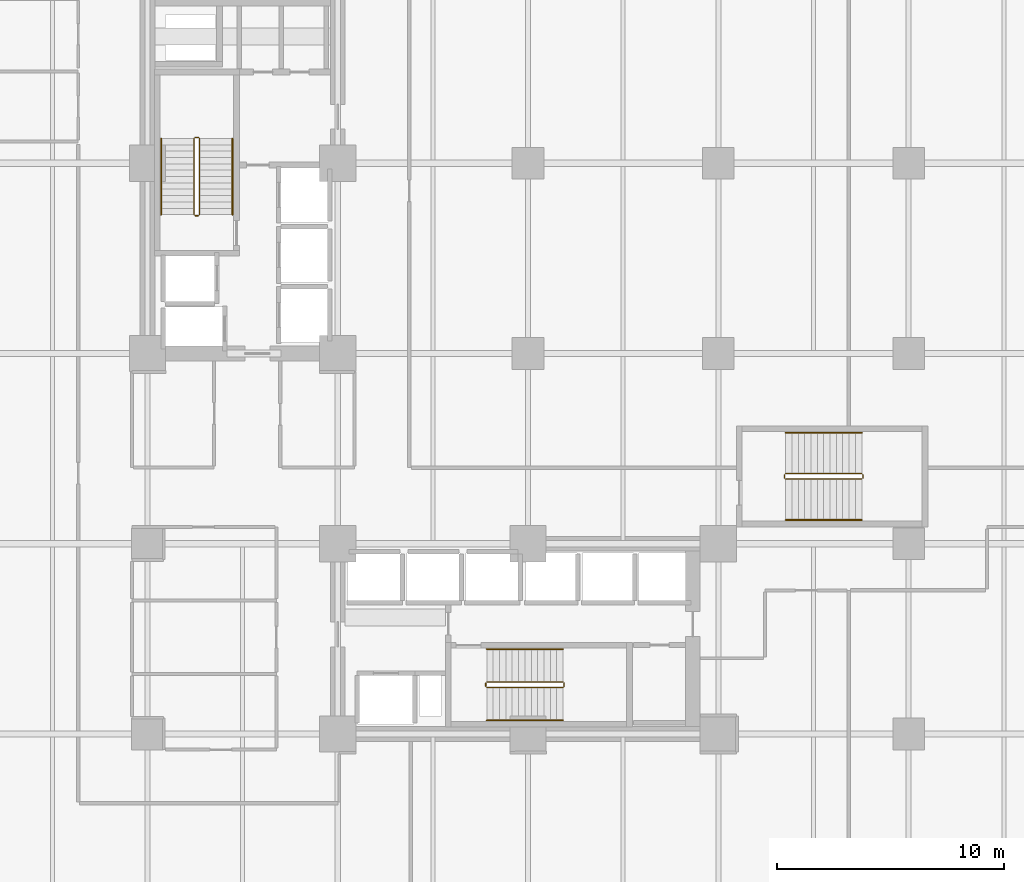
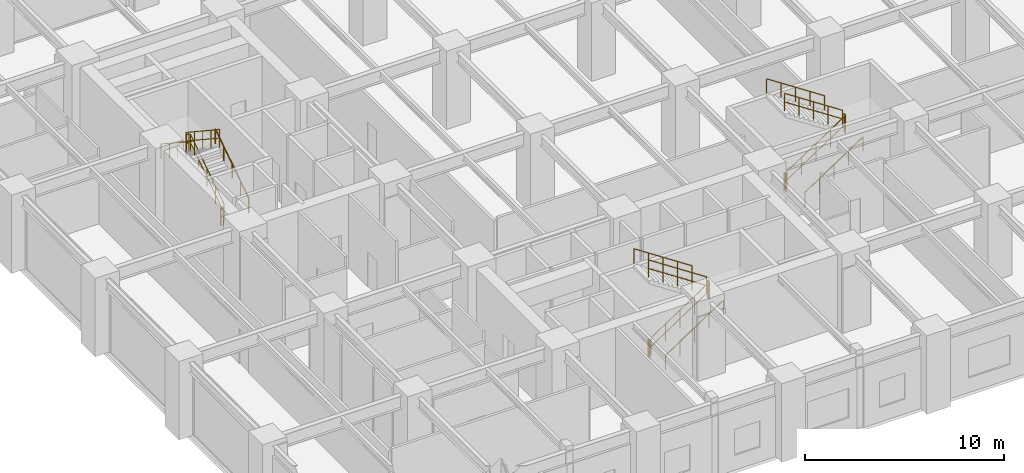
# One storey, part 23 of 23: 18 railings.
"""IFC4 building model written with IfcOpenShell, lengths in metres."""

import ifcopenshell
import ifcopenshell.guid

model = None  # the IFC model being written
_history = None  # IfcOwnerHistory: only IFC2X3 demands one
_inside = {}  # id of a spatial element -> (the spatial element, [elements in it])
_under = {}  # id of a project, library or spatial element -> (it, [spatial elements below it])
_declared = {}  # id of a project -> (the project, [libraries it declares])
_typed = {}  # id of a type object -> (the type object, [elements of that type])
_made_of = {}  # id of a material, layer set ... -> (it, [elements and type objects made of it])


def new_model(schema):
    """Start an empty IFC model of exactly this schema.

    Asked for "IFC4X3", IfcOpenShell would pick the latest addendum, in which some entities
    have other attributes; the version numbers below select the first issue.
    IFC2X3 requires an IfcOwnerHistory on every rooted entity: one is made here for all.
    """
    global model, _history
    if schema == "IFC4X3":
        model = ifcopenshell.file(schema_version=(4, 3, 0, 0))
    else:
        model = ifcopenshell.file(schema=schema)
    _inside.clear()
    _under.clear()
    _declared.clear()
    _typed.clear()
    _made_of.clear()
    _history = None
    if model.schema == "IFC2X3":
        org = make("IfcOrganization", Name="unknown")
        user = make(
            "IfcPersonAndOrganization",
            ThePerson=make("IfcPerson", FamilyName="unknown"),
            TheOrganization=org,
        )
        app = make(
            "IfcApplication",
            ApplicationDeveloper=org,
            Version="unknown",
            ApplicationFullName="unknown",
            ApplicationIdentifier="unknown",
        )
        _history = make(
            "IfcOwnerHistory",
            OwningUser=user,
            OwningApplication=app,
            ChangeAction="ADDED",
            CreationDate=0,
        )
    return model


def make(cls, **values):
    """One entity of the class cls with the attributes given. An attribute that is None is left unset."""
    return model.create_entity(
        cls, **{name: value for name, value in values.items() if value is not None}
    )


def rooted(cls, **values):
    """An entity with a GlobalId (a new one), such as an element, a storey or a relation."""
    return make(cls, GlobalId=ifcopenshell.guid.new(), OwnerHistory=_history, **values)


def si_unit(unit_type, name, prefix=None):
    """IfcSIUnit, for example si_unit("LENGTHUNIT", "METRE", prefix="MILLI")."""
    return make("IfcSIUnit", UnitType=unit_type, Prefix=prefix, Name=name)


def assignment(units):
    """IfcUnitAssignment: the units of a project."""
    return None if units is None else make("IfcUnitAssignment", Units=units)


def point(xyz):
    """IfcCartesianPoint."""
    return None if xyz is None else make("IfcCartesianPoint", Coordinates=xyz)


def direction(xyz):
    """IfcDirection."""
    return None if xyz is None else make("IfcDirection", DirectionRatios=xyz)


def frame(location, z_axis=None, x_axis=None):
    """IfcAxis2Placement3D, a coordinate frame: its origin and axes. An axis left out is left unset."""
    return make(
        "IfcAxis2Placement3D",
        Location=point(location),
        Axis=direction(z_axis),
        RefDirection=direction(x_axis),
    )


def frame_2d(location, x_axis=None):
    """IfcAxis2Placement2D, a coordinate frame in the plane: its origin and x axis."""
    return make(
        "IfcAxis2Placement2D", Location=point(location), RefDirection=direction(x_axis)
    )


def origin():
    """The frame at (0, 0, 0) with its axes left unset."""
    return frame((0.0, 0.0, 0.0))


def origin_2d():
    """The frame at (0, 0) in the plane with its x axis left unset."""
    return frame_2d((0.0, 0.0))


def place(relative_to, where):
    """IfcLocalPlacement: puts the frame where relative to a parent placement (None: the world)."""
    return make(
        "IfcLocalPlacement", PlacementRelTo=relative_to, RelativePlacement=where
    )


def context(
    kind, dimensions, precision=None, world=None, true_north=None, identifier=None
):
    """IfcGeometricRepresentationContext, for example the 3D "Model" context."""
    return make(
        "IfcGeometricRepresentationContext",
        ContextIdentifier=identifier,
        ContextType=kind,
        CoordinateSpaceDimension=dimensions,
        Precision=precision,
        WorldCoordinateSystem=world,
        TrueNorth=true_north,
    )


def subcontext(parent, identifier, kind, view, scale=None):
    """IfcGeometricRepresentationSubContext, for example "Body" below "Model"."""
    return make(
        "IfcGeometricRepresentationSubContext",
        ContextIdentifier=identifier,
        ContextType=kind,
        ParentContext=parent,
        TargetScale=scale,
        TargetView=view,
    )


def project(units=None, contexts=None):
    """IfcProject with its units and contexts."""
    return rooted(
        "IfcProject",
        Name="project",
        RepresentationContexts=contexts,
        UnitsInContext=assignment(units),
    )


def spatial(cls, under=None, at=None, **own):
    """A site, building, storey or space (cls), placed at a placement, below another one or the project."""
    s = rooted(cls, ObjectPlacement=at, **own)
    if under is not None:
        _under.setdefault(under.id(), (under, []))[1].append(s)
    return s


def profile(cls, at=None, kind="AREA", **sizes):
    """A parametric profile (cls). Its sizes go by their IFC names, for example OverallWidth=200.0."""
    return make(cls, ProfileType=kind, Position=at, **sizes)


def circle(**sizes):
    """IfcCircleProfileDef."""
    return profile("IfcCircleProfileDef", **sizes)


def extrude(swept, where, along, depth):
    """IfcExtrudedAreaSolid: the profile swept, set in the frame where, extruded along a direction by depth."""
    return make(
        "IfcExtrudedAreaSolid",
        SweptArea=swept,
        Position=where,
        ExtrudedDirection=direction(along),
        Depth=depth,
    )


def shape(context_of_items, identifier, shape_type, items):
    """IfcShapeRepresentation: the items that make up one representation, for example the "Body"."""
    return make(
        "IfcShapeRepresentation",
        ContextOfItems=context_of_items,
        RepresentationIdentifier=identifier,
        RepresentationType=shape_type,
        Items=items,
    )


def material(Name=None, Category=None):
    """IfcMaterial."""
    return make("IfcMaterial", Name=Name, Category=Category)


def made_of(thing, what):
    """Note that an element or type object is made of a material, layer set ...; save() writes the relation."""
    if what is not None:
        _made_of.setdefault(what.id(), (what, []))[1].append(thing)
    return thing


def type_object(cls, material=None, **own):
    """A type object (cls), such as IfcWallType, which elements share."""
    return made_of(rooted(cls, **own), material)


def element(
    cls,
    number,
    at=None,
    inside=None,
    cuts=None,
    type_object=None,
    material=None,
    context=None,
    identifier="Body",
    shape_type=None,
    held_by="IfcProductDefinitionShape",
    body=None,
    shapes=None,
    **own,
):
    """One element of the class cls, such as IfcWall. Its Tag is "e" and its number.

    at: its placement. inside: the storey or other place that contains it. cuts: it is an
    opening in that element (IfcRelVoidsElement). A single representation is given by context,
    identifier, shape_type and body (its items); several are given by shapes. held_by: the class
    of the entity that holds the representations. save() writes the other relations.
    """
    e = rooted(cls, Tag="e%d" % number, ObjectPlacement=at, **own)
    if body is not None:
        shapes = [shape(context, identifier, shape_type, body)]
    if shapes is not None:
        e.Representation = make(held_by, Representations=shapes)
    if inside is not None:
        _inside.setdefault(inside.id(), (inside, []))[1].append(e)
    if cuts is not None:
        rooted(
            "IfcRelVoidsElement", RelatingBuildingElement=cuts, RelatedOpeningElement=e
        )
    if type_object is not None:
        _typed.setdefault(type_object.id(), (type_object, []))[1].append(e)
    return made_of(e, material)


def aggregate(whole, parts):
    """IfcRelAggregates: a whole, such as a stair, and the parts it consists of."""
    return rooted("IfcRelAggregates", RelatingObject=whole, RelatedObjects=parts)


def save(model, path):
    """Write the relations noted so far, then the file.

    IfcRelAggregates (storeys below a building ...), IfcRelContainedInSpatialStructure (elements
    in a storey), IfcRelDefinesByType, IfcRelAssociatesMaterial and IfcRelDeclares: one each for
    every whole, place, type object, material and project.
    """
    for whole, parts in _under.values():
        aggregate(whole, parts)
    for where, things in _inside.values():
        rooted(
            "IfcRelContainedInSpatialStructure",
            RelatedElements=things,
            RelatingStructure=where,
        )
    for kind, things in _typed.values():
        rooted("IfcRelDefinesByType", RelatedObjects=things, RelatingType=kind)
    for what, things in _made_of.values():
        rooted("IfcRelAssociatesMaterial", RelatedObjects=things, RelatingMaterial=what)
    for by, libraries in _declared.values():
        rooted("IfcRelDeclares", RelatingContext=by, RelatedDefinitions=libraries)
    model.write(path)


model = new_model("IFC4")

# Units and contexts
model_context = context("Model", 3, precision=1e-05, world=origin(), true_north=direction((0.0, 1.0)))
body_context = subcontext(model_context, "Body", "Model", "MODEL_VIEW")
ifc_project = project(units=[si_unit("LENGTHUNIT", "METRE"), si_unit("AREAUNIT", "SQUARE_METRE"), si_unit("VOLUMEUNIT", "CUBIC_METRE"), si_unit("PLANEANGLEUNIT", "RADIAN"), si_unit("MASSUNIT", "GRAM", prefix="KILO")], contexts=[model_context])

# Site, building, storey
site_placement = place(None, origin())
site = spatial("IfcSite", under=ifc_project, at=site_placement, CompositionType="ELEMENT")
building_placement = place(site_placement, origin())
building = spatial("IfcBuilding", under=site, at=building_placement, Name="Nerrivon Quay Data Exchange", CompositionType="ELEMENT")
storey_placement = place(building_placement, frame((0.0, 0.0, 5.39990234375)))
storey = spatial("IfcBuildingStorey", under=building, at=storey_placement, Name="L01", CompositionType="ELEMENT", Elevation=5.39990234375)

# Railings
ifc_material = material(Name="Steel Grade C350L0 (350 MPa)", Category="steel")
railing_type_1 = type_object("IfcRailingType", Name="RAIL-HAND-HR1", PredefinedType="HANDRAIL", material=ifc_material)
railing_1_placement = place(storey_placement, frame((12.14990234375, 31.330078125, 0.184814453125)))
element("IfcRailing", 1, at=railing_1_placement, inside=storey, type_object=railing_type_1, Name="L01 ST01 stair handrail 1", PredefinedType="HANDRAIL", context=body_context, shape_type="SweptSolid", body=[
    extrude(circle(Radius=0.02392578125, at=origin_2d()), frame((0.0, 0.0, 0.8759765625), z_axis=(0.0, 0.834858096282, 0.550465220583), x_axis=(-1.0, 0.0, 0.0)), (0.0, 0.0, 1.0), 4.0244140625),
    extrude(circle(Radius=0.02099609375, at=origin_2d()), origin(), (0.0, 0.0, 1.0), 0.851806640625),
    extrude(circle(Radius=0.02099609375, at=origin_2d()), frame((0.0, 0.83984375, 0.5537109375)), (0.0, 0.0, 1.0), 0.851806640625),
    extrude(circle(Radius=0.02099609375, at=origin_2d()), frame((0.0, 1.679931640625, 1.107666015625)), (0.0, 0.0, 1.0), 0.851806640625),
    extrude(circle(Radius=0.02099609375, at=origin_2d()), frame((0.0, 2.52001953125, 1.66162109375)), (0.0, 0.0, 1.0), 0.851806640625),
    extrude(circle(Radius=0.02099609375, at=origin_2d()), frame((0.0, 3.35986328125, 2.21533203125)), (0.0, 0.0, 1.0), 0.851806640625),
])
railing_2_placement = place(storey_placement, frame((9.0, 34.68994140625, 2.584716796875)))
element("IfcRailing", 2, at=railing_2_placement, inside=storey, type_object=railing_type_1, Name="L01 ST01 stair handrail 2", PredefinedType="HANDRAIL", context=body_context, shape_type="SweptSolid", body=[
    extrude(circle(Radius=0.02392578125, at=origin_2d()), frame((0.0, 0.0, 0.8759765625), z_axis=(0.0, -0.834858096282, 0.550465220583), x_axis=(1.0, 0.0, 0.0)), (0.0, 0.0, 1.0), 4.0244140625),
    extrude(circle(Radius=0.02099609375, at=origin_2d()), origin(), (0.0, 0.0, 1.0), 0.851806640625),
    extrude(circle(Radius=0.02099609375, at=origin_2d()), frame((0.0, -0.83984375, 0.5537109375)), (0.0, 0.0, 1.0), 0.851806640625),
    extrude(circle(Radius=0.02099609375, at=origin_2d()), frame((0.0, -1.679931640625, 1.107666015625)), (0.0, 0.0, 1.0), 0.851806640625),
    extrude(circle(Radius=0.02099609375, at=origin_2d()), frame((0.0, -2.52001953125, 1.66162109375)), (0.0, 0.0, 1.0), 0.851806640625),
    extrude(circle(Radius=0.02099609375, at=origin_2d()), frame((0.0, -3.35986328125, 2.21533203125)), (0.0, 0.0, 1.0), 0.851806640625),
])
railing_3_placement = place(storey_placement, frame((23.3798828125, 9.0, 0.184814453125)))
element("IfcRailing", 3, at=railing_3_placement, inside=storey, type_object=railing_type_1, Name="L01 ST02 stair handrail 1", PredefinedType="HANDRAIL", context=body_context, shape_type="SweptSolid", body=[
    extrude(circle(Radius=0.02392578125, at=origin_2d()), frame((0.0, 0.0, 0.8759765625), z_axis=(0.834876476806, 0.0, 0.550437342915), x_axis=(0.0, 1.0, 0.0)), (0.0, 0.0, 1.0), 4.024658203125),
    extrude(circle(Radius=0.02099609375, at=origin_2d()), origin(), (0.0, 0.0, 1.0), 0.851806640625),
    extrude(circle(Radius=0.02099609375, at=origin_2d()), frame((0.840087890625, 0.0, 0.5537109375)), (0.0, 0.0, 1.0), 0.851806640625),
    extrude(circle(Radius=0.02099609375, at=origin_2d()), frame((1.68017578125, 0.0, 1.107666015625)), (0.0, 0.0, 1.0), 0.851806640625),
    extrude(circle(Radius=0.02099609375, at=origin_2d()), frame((2.52001953125, 0.0, 1.66162109375)), (0.0, 0.0, 1.0), 0.851806640625),
    extrude(circle(Radius=0.02099609375, at=origin_2d()), frame((3.360107421875, 0.0, 2.21533203125)), (0.0, 0.0, 1.0), 0.851806640625),
])
railing_4_placement = place(storey_placement, frame((26.739990234375, 12.14990234375, 2.584716796875)))
element("IfcRailing", 4, at=railing_4_placement, inside=storey, type_object=railing_type_1, Name="L01 ST02 stair handrail 2", PredefinedType="HANDRAIL", context=body_context, shape_type="SweptSolid", body=[
    extrude(circle(Radius=0.02392578125, at=origin_2d()), frame((0.0, 0.0, 0.8759765625), z_axis=(-0.834876476806, 0.0, 0.550437342915), x_axis=(0.0, -1.0, 0.0)), (0.0, 0.0, 1.0), 4.024658203125),
    extrude(circle(Radius=0.02099609375, at=origin_2d()), origin(), (0.0, 0.0, 1.0), 0.851806640625),
    extrude(circle(Radius=0.02099609375, at=origin_2d()), frame((-0.840087890625, 0.0, 0.5537109375)), (0.0, 0.0, 1.0), 0.851806640625),
    extrude(circle(Radius=0.02099609375, at=origin_2d()), frame((-1.68017578125, 0.0, 1.107666015625)), (0.0, 0.0, 1.0), 0.851806640625),
    extrude(circle(Radius=0.02099609375, at=origin_2d()), frame((-2.52001953125, 0.0, 1.66162109375)), (0.0, 0.0, 1.0), 0.851806640625),
    extrude(circle(Radius=0.02099609375, at=origin_2d()), frame((-3.360107421875, 0.0, 2.21533203125)), (0.0, 0.0, 1.0), 0.851806640625),
])
railing_5_placement = place(storey_placement, frame((36.570068359375, 17.85009765625, 0.184814453125)))
element("IfcRailing", 5, at=railing_5_placement, inside=storey, type_object=railing_type_1, Name="L01 ST03 stair handrail 1", PredefinedType="HANDRAIL", context=body_context, shape_type="SweptSolid", body=[
    extrude(circle(Radius=0.02392578125, at=origin_2d()), frame((0.0, 0.0, 0.8759765625), z_axis=(0.834858096282, 0.0, 0.550465220583), x_axis=(0.0, 1.0, 0.0)), (0.0, 0.0, 1.0), 4.0244140625),
    extrude(circle(Radius=0.02099609375, at=origin_2d()), origin(), (0.0, 0.0, 1.0), 0.851806640625),
    extrude(circle(Radius=0.02099609375, at=origin_2d()), frame((0.83984375, 0.0, 0.5537109375)), (0.0, 0.0, 1.0), 0.851806640625),
    extrude(circle(Radius=0.02099609375, at=origin_2d()), frame((1.679931640625, 0.0, 1.107666015625)), (0.0, 0.0, 1.0), 0.851806640625),
    extrude(circle(Radius=0.02099609375, at=origin_2d()), frame((2.52001953125, 0.0, 1.66162109375)), (0.0, 0.0, 1.0), 0.851806640625),
    extrude(circle(Radius=0.02099609375, at=origin_2d()), frame((3.35986328125, 0.0, 2.21533203125)), (0.0, 0.0, 1.0), 0.851806640625),
])
railing_6_placement = place(storey_placement, frame((39.929931640625, 21.699951171875, 2.584716796875)))
element("IfcRailing", 6, at=railing_6_placement, inside=storey, type_object=railing_type_1, Name="L01 ST03 stair handrail 2", PredefinedType="HANDRAIL", context=body_context, shape_type="SweptSolid", body=[
    extrude(circle(Radius=0.02392578125, at=origin_2d()), frame((0.0, 0.0, 0.8759765625), z_axis=(-0.834858096282, 0.0, 0.550465220583), x_axis=(0.0, -1.0, 0.0)), (0.0, 0.0, 1.0), 4.0244140625),
    extrude(circle(Radius=0.02099609375, at=origin_2d()), origin(), (0.0, 0.0, 1.0), 0.851806640625),
    extrude(circle(Radius=0.02099609375, at=origin_2d()), frame((-0.83984375, 0.0, 0.5537109375)), (0.0, 0.0, 1.0), 0.851806640625),
    extrude(circle(Radius=0.02099609375, at=origin_2d()), frame((-1.679931640625, 0.0, 1.107666015625)), (0.0, 0.0, 1.0), 0.851806640625),
    extrude(circle(Radius=0.02099609375, at=origin_2d()), frame((-2.52001953125, 0.0, 1.66162109375)), (0.0, 0.0, 1.0), 0.851806640625),
    extrude(circle(Radius=0.02099609375, at=origin_2d()), frame((-3.35986328125, 0.0, 2.21533203125)), (0.0, 0.0, 1.0), 0.851806640625),
])
railing_type_2 = type_object("IfcRailingType", Name="RAIL-STAIR-GR1", PredefinedType="BALUSTRADE", material=ifc_material)
railing_7_placement = place(storey_placement, frame((10.699951171875, 31.330078125, 0.184814453125)))
element("IfcRailing", 7, at=railing_7_placement, inside=storey, type_object=railing_type_2, Name="L01 ST01 stair guard 1", PredefinedType="BALUSTRADE", context=body_context, shape_type="SweptSolid", body=[
    extrude(circle(Radius=0.02392578125, at=origin_2d()), frame((0.0, 0.0, 1.076171875), z_axis=(0.0, 0.834858096282, 0.550465220583), x_axis=(-1.0, 0.0, 0.0)), (0.0, 0.0, 1.0), 4.0244140625),
    extrude(circle(Radius=0.02392578125, at=origin_2d()), frame((0.0, 0.0, 0.550048828125), z_axis=(0.0, 0.834858096282, 0.550465220583), x_axis=(-1.0, 0.0, 0.0)), (0.0, 0.0, 1.0), 4.0244140625),
    extrude(circle(Radius=0.02099609375, at=origin_2d()), origin(), (0.0, 0.0, 1.0), 1.052001953125),
    extrude(circle(Radius=0.02099609375, at=origin_2d()), frame((0.0, 0.83984375, 0.5537109375)), (0.0, 0.0, 1.0), 1.052001953125),
    extrude(circle(Radius=0.02099609375, at=origin_2d()), frame((0.0, 1.679931640625, 1.107666015625)), (0.0, 0.0, 1.0), 1.052001953125),
    extrude(circle(Radius=0.02099609375, at=origin_2d()), frame((0.0, 2.52001953125, 1.66162109375)), (0.0, 0.0, 1.0), 1.052001953125),
    extrude(circle(Radius=0.02099609375, at=origin_2d()), frame((0.0, 3.35986328125, 2.21533203125)), (0.0, 0.0, 1.0), 1.052001953125),
])
railing_8_placement = place(storey_placement, frame((10.64990234375, 34.739990234375, 2.400146484375)))
element("IfcRailing", 8, at=railing_8_placement, inside=storey, type_object=railing_type_2, Name="L01 ST01 stair guard 2", PredefinedType="BALUSTRADE", context=body_context, shape_type="SweptSolid", body=[
    extrude(circle(Radius=0.02392578125, at=origin_2d()), frame((0.0, 0.0, 1.076171875), z_axis=(-1.0, 0.0, 0.0), x_axis=(0.0, -1.0, 0.0)), (0.0, 0.0, 1.0), 0.14990234375),
    extrude(circle(Radius=0.02392578125, at=origin_2d()), frame((0.0, 0.0, 0.550048828125), z_axis=(-1.0, 0.0, 0.0), x_axis=(0.0, -1.0, 0.0)), (0.0, 0.0, 1.0), 0.14990234375),
    extrude(circle(Radius=0.02099609375, at=origin_2d()), origin(), (0.0, 0.0, 1.0), 1.052001953125),
    extrude(circle(Radius=0.02099609375, at=origin_2d()), frame((-0.14990234375, 0.0, 0.0)), (0.0, 0.0, 1.0), 1.052001953125),
])
railing_9_placement = place(storey_placement, frame((10.449951171875, 34.68994140625, 2.584716796875)))
element("IfcRailing", 9, at=railing_9_placement, inside=storey, type_object=railing_type_2, Name="L01 ST01 stair guard 3", PredefinedType="BALUSTRADE", context=body_context, shape_type="SweptSolid", body=[
    extrude(circle(Radius=0.02392578125, at=origin_2d()), frame((0.0, 0.0, 1.076171875), z_axis=(0.0, -0.834858096282, 0.550465220583), x_axis=(1.0, 0.0, 0.0)), (0.0, 0.0, 1.0), 4.0244140625),
    extrude(circle(Radius=0.02392578125, at=origin_2d()), frame((0.0, 0.0, 0.550048828125), z_axis=(0.0, -0.834858096282, 0.550465220583), x_axis=(1.0, 0.0, 0.0)), (0.0, 0.0, 1.0), 4.0244140625),
    extrude(circle(Radius=0.02099609375, at=origin_2d()), origin(), (0.0, 0.0, 1.0), 1.052001953125),
    extrude(circle(Radius=0.02099609375, at=origin_2d()), frame((0.0, -0.83984375, 0.5537109375)), (0.0, 0.0, 1.0), 1.052001953125),
    extrude(circle(Radius=0.02099609375, at=origin_2d()), frame((0.0, -1.679931640625, 1.107666015625)), (0.0, 0.0, 1.0), 1.052001953125),
    extrude(circle(Radius=0.02099609375, at=origin_2d()), frame((0.0, -2.52001953125, 1.66162109375)), (0.0, 0.0, 1.0), 1.052001953125),
    extrude(circle(Radius=0.02099609375, at=origin_2d()), frame((0.0, -3.35986328125, 2.21533203125)), (0.0, 0.0, 1.0), 1.052001953125),
])
railing_10_placement = place(storey_placement, frame((10.64990234375, 31.280029296875, 0.0)))
element("IfcRailing", 10, at=railing_10_placement, inside=storey, type_object=railing_type_2, Name="L01 ST01 stair guard 4", PredefinedType="BALUSTRADE", context=body_context, shape_type="SweptSolid", body=[
    extrude(circle(Radius=0.02392578125, at=origin_2d()), frame((0.0, 0.0, 1.076171875), z_axis=(-1.0, 0.0, 0.0), x_axis=(0.0, -1.0, 0.0)), (0.0, 0.0, 1.0), 0.14990234375),
    extrude(circle(Radius=0.02392578125, at=origin_2d()), frame((0.0, 0.0, 0.550048828125), z_axis=(-1.0, 0.0, 0.0), x_axis=(0.0, -1.0, 0.0)), (0.0, 0.0, 1.0), 0.14990234375),
    extrude(circle(Radius=0.02099609375, at=origin_2d()), origin(), (0.0, 0.0, 1.0), 1.052001953125),
    extrude(circle(Radius=0.02099609375, at=origin_2d()), frame((-0.14990234375, 0.0, 0.0)), (0.0, 0.0, 1.0), 1.052001953125),
])
railing_11_placement = place(storey_placement, frame((23.3798828125, 10.449951171875, 0.184814453125)))
element("IfcRailing", 11, at=railing_11_placement, inside=storey, type_object=railing_type_2, Name="L01 ST02 stair guard 1", PredefinedType="BALUSTRADE", context=body_context, shape_type="SweptSolid", body=[
    extrude(circle(Radius=0.02392578125, at=origin_2d()), frame((0.0, 0.0, 1.076171875), z_axis=(0.834876476806, 0.0, 0.550437342915), x_axis=(0.0, 1.0, 0.0)), (0.0, 0.0, 1.0), 4.024658203125),
    extrude(circle(Radius=0.02392578125, at=origin_2d()), frame((0.0, 0.0, 0.550048828125), z_axis=(0.834876476806, 0.0, 0.550437342915), x_axis=(0.0, 1.0, 0.0)), (0.0, 0.0, 1.0), 4.024658203125),
    extrude(circle(Radius=0.02099609375, at=origin_2d()), origin(), (0.0, 0.0, 1.0), 1.052001953125),
    extrude(circle(Radius=0.02099609375, at=origin_2d()), frame((0.840087890625, 0.0, 0.5537109375)), (0.0, 0.0, 1.0), 1.052001953125),
    extrude(circle(Radius=0.02099609375, at=origin_2d()), frame((1.68017578125, 0.0, 1.107666015625)), (0.0, 0.0, 1.0), 1.052001953125),
    extrude(circle(Radius=0.02099609375, at=origin_2d()), frame((2.52001953125, 0.0, 1.66162109375)), (0.0, 0.0, 1.0), 1.052001953125),
    extrude(circle(Radius=0.02099609375, at=origin_2d()), frame((3.360107421875, 0.0, 2.21533203125)), (0.0, 0.0, 1.0), 1.052001953125),
])
railing_12_placement = place(storey_placement, frame((26.7900390625, 10.5, 2.400146484375)))
element("IfcRailing", 12, at=railing_12_placement, inside=storey, type_object=railing_type_2, Name="L01 ST02 stair guard 2", PredefinedType="BALUSTRADE", context=body_context, shape_type="SweptSolid", body=[
    extrude(circle(Radius=0.02392578125, at=origin_2d()), frame((0.0, 0.0, 1.076171875), z_axis=(0.0, 1.0, 0.0), x_axis=(-1.0, 0.0, 0.0)), (0.0, 0.0, 1.0), 0.14990234375),
    extrude(circle(Radius=0.02392578125, at=origin_2d()), frame((0.0, 0.0, 0.550048828125), z_axis=(0.0, 1.0, 0.0), x_axis=(-1.0, 0.0, 0.0)), (0.0, 0.0, 1.0), 0.14990234375),
    extrude(circle(Radius=0.02099609375, at=origin_2d()), origin(), (0.0, 0.0, 1.0), 1.052001953125),
    extrude(circle(Radius=0.02099609375, at=origin_2d()), frame((0.0, 0.14990234375, 0.0)), (0.0, 0.0, 1.0), 1.052001953125),
])
railing_13_placement = place(storey_placement, frame((26.739990234375, 10.699951171875, 2.584716796875)))
element("IfcRailing", 13, at=railing_13_placement, inside=storey, type_object=railing_type_2, Name="L01 ST02 stair guard 3", PredefinedType="BALUSTRADE", context=body_context, shape_type="SweptSolid", body=[
    extrude(circle(Radius=0.02392578125, at=origin_2d()), frame((0.0, 0.0, 1.076171875), z_axis=(-0.834876476806, 0.0, 0.550437342915), x_axis=(0.0, -1.0, 0.0)), (0.0, 0.0, 1.0), 4.024658203125),
    extrude(circle(Radius=0.02392578125, at=origin_2d()), frame((0.0, 0.0, 0.550048828125), z_axis=(-0.834876476806, 0.0, 0.550437342915), x_axis=(0.0, -1.0, 0.0)), (0.0, 0.0, 1.0), 4.024658203125),
    extrude(circle(Radius=0.02099609375, at=origin_2d()), origin(), (0.0, 0.0, 1.0), 1.052001953125),
    extrude(circle(Radius=0.02099609375, at=origin_2d()), frame((-0.840087890625, 0.0, 0.5537109375)), (0.0, 0.0, 1.0), 1.052001953125),
    extrude(circle(Radius=0.02099609375, at=origin_2d()), frame((-1.68017578125, 0.0, 1.107666015625)), (0.0, 0.0, 1.0), 1.052001953125),
    extrude(circle(Radius=0.02099609375, at=origin_2d()), frame((-2.52001953125, 0.0, 1.66162109375)), (0.0, 0.0, 1.0), 1.052001953125),
    extrude(circle(Radius=0.02099609375, at=origin_2d()), frame((-3.360107421875, 0.0, 2.21533203125)), (0.0, 0.0, 1.0), 1.052001953125),
])
railing_14_placement = place(storey_placement, frame((23.330078125, 10.5, 0.0)))
element("IfcRailing", 14, at=railing_14_placement, inside=storey, type_object=railing_type_2, Name="L01 ST02 stair guard 4", PredefinedType="BALUSTRADE", context=body_context, shape_type="SweptSolid", body=[
    extrude(circle(Radius=0.02392578125, at=origin_2d()), frame((0.0, 0.0, 1.076171875), z_axis=(0.0, 1.0, 0.0), x_axis=(-1.0, 0.0, 0.0)), (0.0, 0.0, 1.0), 0.14990234375),
    extrude(circle(Radius=0.02392578125, at=origin_2d()), frame((0.0, 0.0, 0.550048828125), z_axis=(0.0, 1.0, 0.0), x_axis=(-1.0, 0.0, 0.0)), (0.0, 0.0, 1.0), 0.14990234375),
    extrude(circle(Radius=0.02099609375, at=origin_2d()), origin(), (0.0, 0.0, 1.0), 1.052001953125),
    extrude(circle(Radius=0.02099609375, at=origin_2d()), frame((0.0, 0.14990234375, 0.0)), (0.0, 0.0, 1.0), 1.052001953125),
])
railing_15_placement = place(storey_placement, frame((36.570068359375, 19.64990234375, 0.184814453125)))
element("IfcRailing", 15, at=railing_15_placement, inside=storey, type_object=railing_type_2, Name="L01 ST03 stair guard 1", PredefinedType="BALUSTRADE", context=body_context, shape_type="SweptSolid", body=[
    extrude(circle(Radius=0.02392578125, at=origin_2d()), frame((0.0, 0.0, 1.076171875), z_axis=(0.834858096282, 0.0, 0.550465220583), x_axis=(0.0, 1.0, 0.0)), (0.0, 0.0, 1.0), 4.0244140625),
    extrude(circle(Radius=0.02392578125, at=origin_2d()), frame((0.0, 0.0, 0.550048828125), z_axis=(0.834858096282, 0.0, 0.550465220583), x_axis=(0.0, 1.0, 0.0)), (0.0, 0.0, 1.0), 4.0244140625),
    extrude(circle(Radius=0.02099609375, at=origin_2d()), origin(), (0.0, 0.0, 1.0), 1.052001953125),
    extrude(circle(Radius=0.02099609375, at=origin_2d()), frame((0.83984375, 0.0, 0.5537109375)), (0.0, 0.0, 1.0), 1.052001953125),
    extrude(circle(Radius=0.02099609375, at=origin_2d()), frame((1.679931640625, 0.0, 1.107666015625)), (0.0, 0.0, 1.0), 1.052001953125),
    extrude(circle(Radius=0.02099609375, at=origin_2d()), frame((2.52001953125, 0.0, 1.66162109375)), (0.0, 0.0, 1.0), 1.052001953125),
    extrude(circle(Radius=0.02099609375, at=origin_2d()), frame((3.35986328125, 0.0, 2.21533203125)), (0.0, 0.0, 1.0), 1.052001953125),
])
railing_16_placement = place(storey_placement, frame((39.97998046875, 19.699951171875, 2.400146484375)))
element("IfcRailing", 16, at=railing_16_placement, inside=storey, type_object=railing_type_2, Name="L01 ST03 stair guard 2", PredefinedType="BALUSTRADE", context=body_context, shape_type="SweptSolid", body=[
    extrude(circle(Radius=0.02392578125, at=origin_2d()), frame((0.0, 0.0, 1.076171875), z_axis=(0.0, 1.0, 0.0), x_axis=(-1.0, 0.0, 0.0)), (0.0, 0.0, 1.0), 0.150146484375),
    extrude(circle(Radius=0.02392578125, at=origin_2d()), frame((0.0, 0.0, 0.550048828125), z_axis=(0.0, 1.0, 0.0), x_axis=(-1.0, 0.0, 0.0)), (0.0, 0.0, 1.0), 0.150146484375),
    extrude(circle(Radius=0.02099609375, at=origin_2d()), origin(), (0.0, 0.0, 1.0), 1.052001953125),
    extrude(circle(Radius=0.02099609375, at=origin_2d()), frame((0.0, 0.150146484375, 0.0)), (0.0, 0.0, 1.0), 1.052001953125),
])
railing_17_placement = place(storey_placement, frame((39.929931640625, 19.89990234375, 2.584716796875)))
element("IfcRailing", 17, at=railing_17_placement, inside=storey, type_object=railing_type_2, Name="L01 ST03 stair guard 3", PredefinedType="BALUSTRADE", context=body_context, shape_type="SweptSolid", body=[
    extrude(circle(Radius=0.02392578125, at=origin_2d()), frame((0.0, 0.0, 1.076171875), z_axis=(-0.834858096282, 0.0, 0.550465220583), x_axis=(0.0, -1.0, 0.0)), (0.0, 0.0, 1.0), 4.0244140625),
    extrude(circle(Radius=0.02392578125, at=origin_2d()), frame((0.0, 0.0, 0.550048828125), z_axis=(-0.834858096282, 0.0, 0.550465220583), x_axis=(0.0, -1.0, 0.0)), (0.0, 0.0, 1.0), 4.0244140625),
    extrude(circle(Radius=0.02099609375, at=origin_2d()), origin(), (0.0, 0.0, 1.0), 1.052001953125),
    extrude(circle(Radius=0.02099609375, at=origin_2d()), frame((-0.83984375, 0.0, 0.5537109375)), (0.0, 0.0, 1.0), 1.052001953125),
    extrude(circle(Radius=0.02099609375, at=origin_2d()), frame((-1.679931640625, 0.0, 1.107666015625)), (0.0, 0.0, 1.0), 1.052001953125),
    extrude(circle(Radius=0.02099609375, at=origin_2d()), frame((-2.52001953125, 0.0, 1.66162109375)), (0.0, 0.0, 1.0), 1.052001953125),
    extrude(circle(Radius=0.02099609375, at=origin_2d()), frame((-3.35986328125, 0.0, 2.21533203125)), (0.0, 0.0, 1.0), 1.052001953125),
])
railing_18_placement = place(storey_placement, frame((36.52001953125, 19.699951171875, 0.0)))
element("IfcRailing", 18, at=railing_18_placement, inside=storey, type_object=railing_type_2, Name="L01 ST03 stair guard 4", PredefinedType="BALUSTRADE", context=body_context, shape_type="SweptSolid", body=[
    extrude(circle(Radius=0.02392578125, at=origin_2d()), frame((0.0, 0.0, 1.076171875), z_axis=(0.0, 1.0, 0.0), x_axis=(-1.0, 0.0, 0.0)), (0.0, 0.0, 1.0), 0.150146484375),
    extrude(circle(Radius=0.02392578125, at=origin_2d()), frame((0.0, 0.0, 0.550048828125), z_axis=(0.0, 1.0, 0.0), x_axis=(-1.0, 0.0, 0.0)), (0.0, 0.0, 1.0), 0.150146484375),
    extrude(circle(Radius=0.02099609375, at=origin_2d()), origin(), (0.0, 0.0, 1.0), 1.052001953125),
    extrude(circle(Radius=0.02099609375, at=origin_2d()), frame((0.0, 0.150146484375, 0.0)), (0.0, 0.0, 1.0), 1.052001953125),
])

save(model, "model.ifc")
